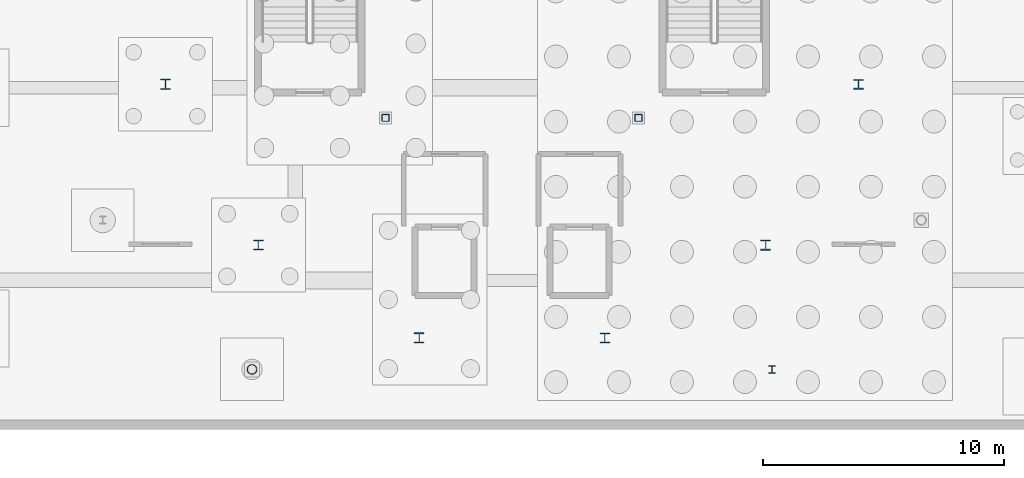
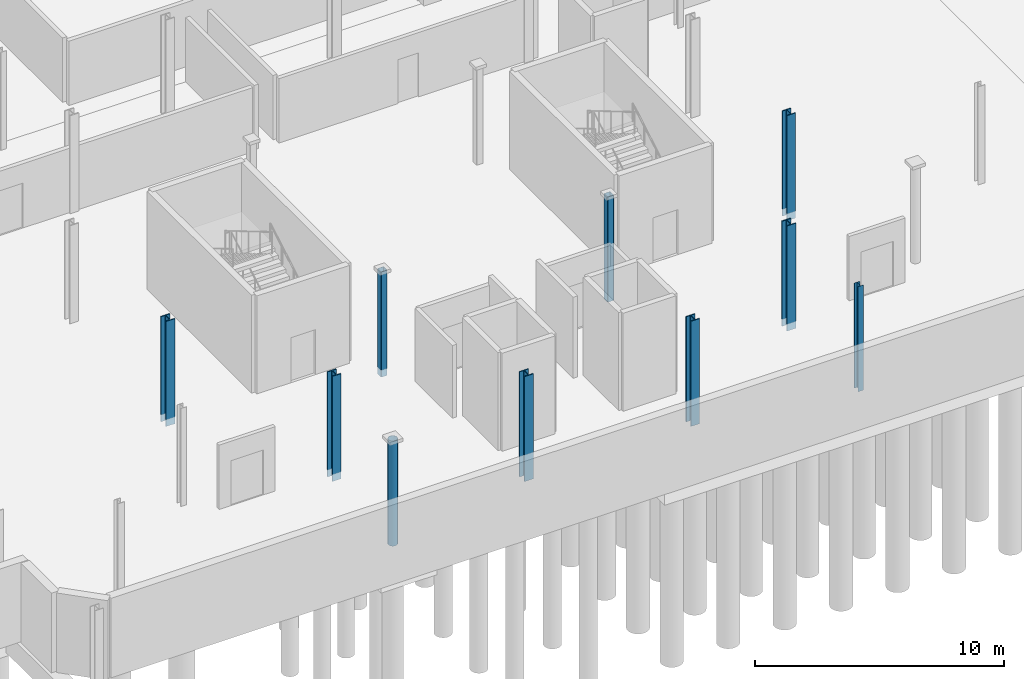
# One storey, part 15 of 37: 10 columns.
"""IFC4 building model written with IfcOpenShell, lengths in metres."""

from ifc_helpers import new_model, si_unit, direction, frame, origin, origin_2d, place, context, subcontext, project, spatial, hollow_rectangle, hollow_circle, i_section, extrude, material, material_profile, profile_set, type_object, element, save


model = new_model("IFC4")

# Units and contexts
model_context = context("Model", 3, precision=1e-05, world=origin(), true_north=direction((0.0, 1.0)))
body_context = subcontext(model_context, "Body", "Model", "MODEL_VIEW")
ifc_project = project(units=[si_unit("LENGTHUNIT", "METRE"), si_unit("AREAUNIT", "SQUARE_METRE"), si_unit("VOLUMEUNIT", "CUBIC_METRE"), si_unit("PLANEANGLEUNIT", "RADIAN"), si_unit("MASSUNIT", "GRAM", prefix="KILO"), si_unit("THERMODYNAMICTEMPERATUREUNIT", "KELVIN"), si_unit("POWERUNIT", "WATT")], contexts=[model_context])

# Site, building, storey
site_placement = place(None, origin())
site = spatial("IfcSite", under=ifc_project, at=site_placement, CompositionType="ELEMENT")
building_placement = place(site_placement, origin())
building = spatial("IfcBuilding", under=site, at=building_placement, Name="Zelmaris Science Centre", CompositionType="ELEMENT")
storey_placement = place(building_placement, frame((0.0, 0.0, -4.800048828125)))
storey = spatial("IfcBuildingStorey", under=building, at=storey_placement, Name="B1", CompositionType="ELEMENT", Elevation=-4.800048828125)

# Columns
ifc_material_1 = material(Name="Steel ASTM A992 Grade 50", Category="steel")
ifc_material_profile_1 = material_profile(ifc_material_1, i_section(OverallWidth=0.412109375, OverallDepth=0.43408203125, WebThickness=0.035888671875, FlangeThickness=0.044189453125, FilletRadius=0.014892578125, at=origin_2d()), Name="W14X311")
ifc_profile_set_1 = profile_set([ifc_material_profile_1], Name="Steel ASTM A992 Grade 50")
column_type_1 = type_object("IfcColumnType", Name="Column C-01 W14X311", PredefinedType="COLUMN", material=ifc_profile_set_1)
for number, where, z_axis, x_axis, name in (
    (1, (66.607666015625, 32.1435546875, -0.349853515625), (0.0, 0.0, 1.0), (1.0, 0.0, 0.0), "Column V2-MC07 B1"),
    (2, (77.1435546875, 21.607666015625, -0.349853515625), (0.0, 0.0, 1.0), (1.0, 0.0, 0.0), "Column V2-MC09 B1"),
    (3, (91.535888671875, 25.464111328125, -0.349853515625), (0.0, 0.0, 1.0), (1.0, 0.0, 0.0), "Column V2-MC11 B1"),
):
    element("IfcColumn", number, at=place(storey_placement, frame(where, z_axis=z_axis, x_axis=x_axis)), inside=storey, type_object=column_type_1, Name=name, PredefinedType="COLUMN", context=body_context, shape_type="SweptSolid", body=[
        extrude(i_section(OverallWidth=0.412109375, OverallDepth=0.43408203125, WebThickness=0.035888671875, FlangeThickness=0.044189453125, FilletRadius=0.014892578125, at=origin_2d()), origin(), (0.0, 0.0, 1.0), 5.14990234375),
    ])
ifc_material_profile_2 = material_profile(ifc_material_1, i_section(OverallWidth=0.406005859375, OverallDepth=0.4169921875, WebThickness=0.02978515625, FlangeThickness=0.04443359375, FilletRadius=0.014892578125, at=origin_2d()), Name="W14X257")
ifc_profile_set_2 = profile_set([ifc_material_profile_2], Name="Steel ASTM A992 Grade 50")
column_type_2 = type_object("IfcColumnType", Name="Column C-02 W14X257", PredefinedType="COLUMN", material=ifc_profile_set_2)
for number, where, z_axis, x_axis, name in (
    (4, (70.464111328125, 25.464111328125, -0.349853515625), (0.0, 0.0, 1.0), (1.0, 0.0, 0.0), "Column V2-MC08 B1"),
    (5, (84.8564453125, 21.607666015625, -0.349853515625), (0.0, 0.0, 1.0), (1.0, 0.0, 0.0), "Column V2-MC10 B1"),
    (6, (95.392333984375, 32.1435546875, -0.349853515625), (0.0, 0.0, 1.0), (1.0, 0.0, 0.0), "Column V2-MC12 B1"),
):
    element("IfcColumn", number, at=place(storey_placement, frame(where, z_axis=z_axis, x_axis=x_axis)), inside=storey, type_object=column_type_2, Name=name, PredefinedType="COLUMN", context=body_context, shape_type="SweptSolid", body=[
        extrude(i_section(OverallWidth=0.406005859375, OverallDepth=0.4169921875, WebThickness=0.02978515625, FlangeThickness=0.04443359375, FilletRadius=0.014892578125, at=origin_2d()), origin(), (0.0, 0.0, 1.0), 5.14990234375),
    ])
ifc_material_profile_3 = material_profile(ifc_material_1, i_section(OverallWidth=0.25390625, OverallDepth=0.306884765625, WebThickness=0.0087890625, FlangeThickness=0.0146484375, FilletRadius=0.012939453125, at=origin_2d()), Name="W12X53")
ifc_profile_set_3 = profile_set([ifc_material_profile_3], Name="Steel ASTM A992 Grade 50")
column_type_3 = type_object("IfcColumnType", Name="Column C-09 W12X53", PredefinedType="COLUMN", material=ifc_profile_set_3)
column_1_placement = place(storey_placement, frame((91.800048828125, 20.300048828125, -0.349853515625), z_axis=(0.0, 0.0, 1.0), x_axis=(1.0, 0.0, 0.0)))
element("IfcColumn", 7, at=column_1_placement, inside=storey, type_object=column_type_3, Name="Column V2-B1P02 B1", PredefinedType="COLUMN", context=body_context, shape_type="SweptSolid", body=[
    extrude(i_section(OverallWidth=0.25390625, OverallDepth=0.306884765625, WebThickness=0.0087890625, FlangeThickness=0.0146484375, FilletRadius=0.012939453125, at=origin_2d()), origin(), (0.0, 0.0, 1.0), 5.14990234375),
])
ifc_material_2 = material(Name="Steel ASTM A500 Grade C", Category="steel")
ifc_material_profile_4 = material_profile(ifc_material_2, hollow_rectangle(XDim=0.3046875, YDim=0.3046875, WallThickness=0.0146484375, InnerFilletRadius=0.0146484375, OuterFilletRadius=0.029296875, at=origin_2d()), Name="HSS305X305X16")
ifc_profile_set_4 = profile_set([ifc_material_profile_4], Name="Steel ASTM A500 Grade C")
column_type_4 = type_object("IfcColumnType", Name="Column C-10 HSS305X305X16", PredefinedType="COLUMN", material=ifc_profile_set_4)
for number, where, z_axis, x_axis, name in (
    (8, (75.75, 30.75, -0.349853515625), (0.0, 0.0, 1.0), (1.0, 0.0, 0.0), "Column V2-AC01 B1"),
    (9, (86.25, 30.75, -0.349853515625), (0.0, 0.0, 1.0), (1.0, 0.0, 0.0), "Column V2-AC02 B1"),
):
    element("IfcColumn", number, at=place(storey_placement, frame(where, z_axis=z_axis, x_axis=x_axis)), inside=storey, type_object=column_type_4, Name=name, PredefinedType="COLUMN", context=body_context, shape_type="SweptSolid", body=[
        extrude(hollow_rectangle(XDim=0.3046875, YDim=0.3046875, WallThickness=0.0146484375, InnerFilletRadius=0.0146484375, OuterFilletRadius=0.029296875, at=origin_2d()), origin(), (0.0, 0.0, 1.0), 5.14990234375),
    ])
ifc_material_profile_5 = material_profile(ifc_material_2, hollow_circle(Radius=0.203125, WallThickness=0.0146484375, at=origin_2d()), Name="CHS406X16")
ifc_profile_set_5 = profile_set([ifc_material_profile_5], Name="Steel ASTM A500 Grade C")
column_type_5 = type_object("IfcColumnType", Name="Column C-12 CHS406X16", PredefinedType="COLUMN", material=ifc_profile_set_5)
column_2_placement = place(storey_placement, frame((70.199951171875, 20.300048828125, -0.349853515625), z_axis=(0.0, 0.0, 1.0), x_axis=(1.0, 0.0, 0.0)))
element("IfcColumn", 10, at=column_2_placement, inside=storey, type_object=column_type_5, Name="Column V2-B1P01 B1", PredefinedType="COLUMN", context=body_context, shape_type="SweptSolid", body=[
    extrude(hollow_circle(Radius=0.203125, WallThickness=0.0146484375, at=origin_2d()), origin(), (0.0, 0.0, 1.0), 5.14990234375),
])

save(model, "model.ifc")
